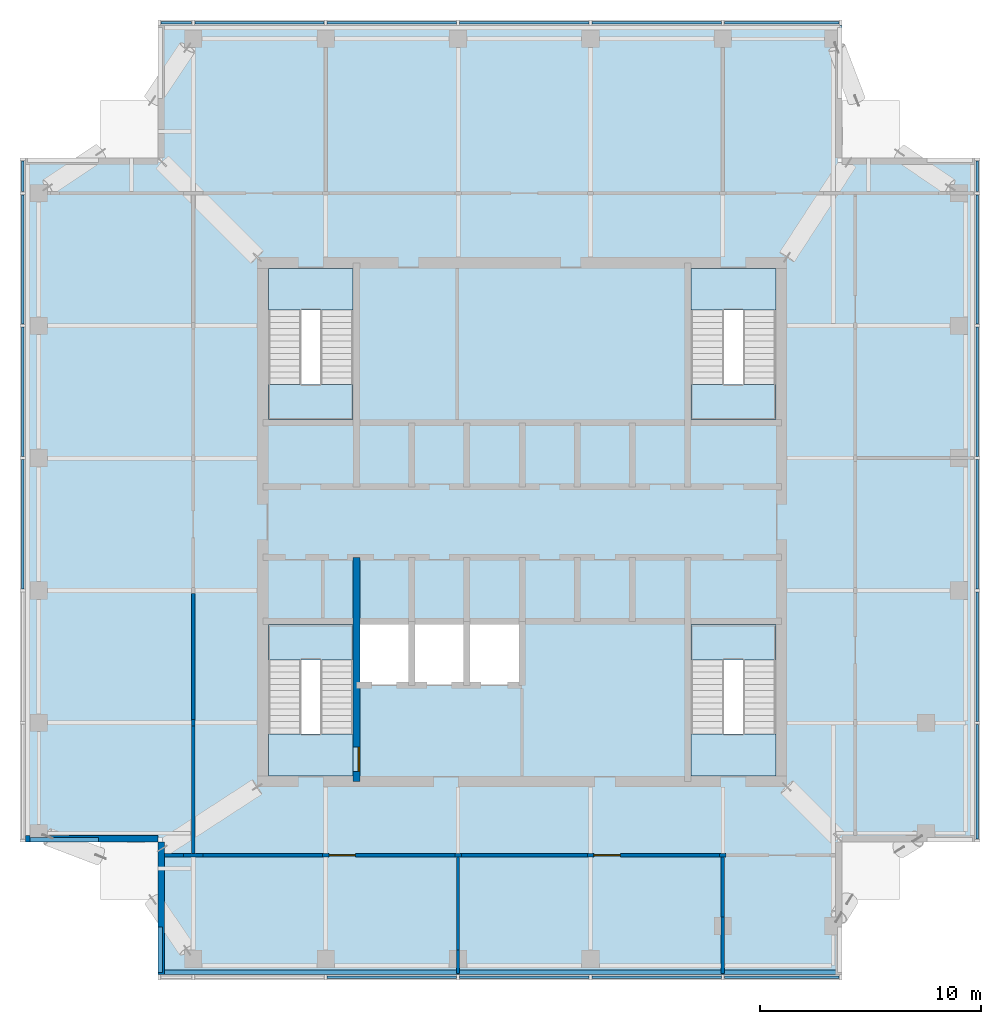
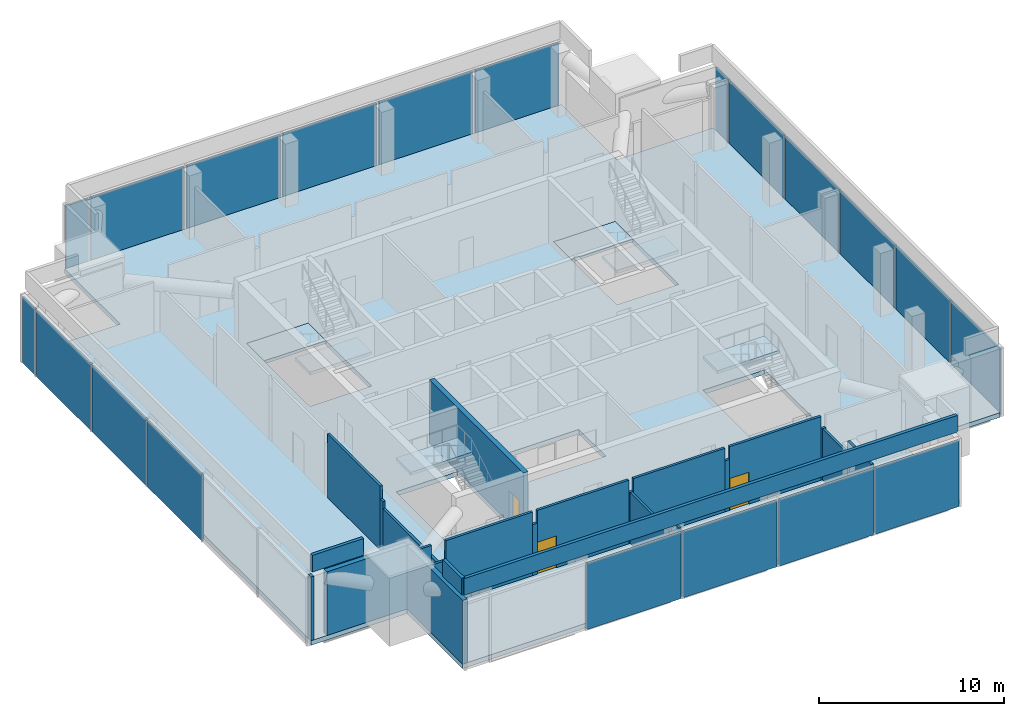
# One storey, part 3 of 11: 24 walls, 20 plates, 9 slabs, 3 doors, 3 openings, 8 elements without a shape of their own.
"""IFC4 building model written with IfcOpenShell, lengths in metres."""

from ifc_helpers import new_model, si_unit, direction, frame, frame_2d, origin, origin_2d, place, context, subcontext, project, spatial, polyline, rectangle, outline, extrude, material, layer, layer_set, type_object, element, fill, aggregate, save


model = new_model("IFC4")

# Units and contexts
model_context = context("Model", 3, precision=1e-05, world=origin(), true_north=direction((0.0, 1.0)))
body_context = subcontext(model_context, "Body", "Model", "MODEL_VIEW")
ifc_project = project(units=[si_unit("LENGTHUNIT", "METRE"), si_unit("AREAUNIT", "SQUARE_METRE"), si_unit("VOLUMEUNIT", "CUBIC_METRE"), si_unit("PLANEANGLEUNIT", "RADIAN"), si_unit("MASSUNIT", "GRAM", prefix="KILO")], contexts=[model_context])

# Site, building, storey
site_placement = place(None, origin())
site = spatial("IfcSite", under=ifc_project, at=site_placement, CompositionType="ELEMENT")
building_placement = place(site_placement, origin())
building = spatial("IfcBuilding", under=site, at=building_placement, Name="Amberfall Residences", CompositionType="ELEMENT")
storey_placement = place(building_placement, frame((0.0, 0.0, 286.300048828125)))
storey = spatial("IfcBuildingStorey", under=building, at=storey_placement, Name="L77 Crown", CompositionType="ELEMENT", Elevation=286.300048828125)

# Curtain wall, plates
ifc_material_1 = material(Name="Bronze anodised aluminium and glass", Category="aluminium")
curtain_wall_type = type_object("IfcCurtainWallType", Name="Curtain wall CW6 crown louvre", PredefinedType="USERDEFINED", material=ifc_material_1)
curtain_wall_1_placement = place(storey_placement, origin())
curtain_wall_1 = element("IfcCurtainWall", 1, at=curtain_wall_1_placement, inside=storey, type_object=curtain_wall_type, Name="Curtain wall L77 Crown S S1", ObjectType="UNITISED CURTAIN WALL", PredefinedType="USERDEFINED")
ifc_material_2 = material(Name="Bronze aluminium louvre", Category="aluminium")
ifc_layer_1 = layer(ifc_material_2, 0.1201171875)
ifc_layer_set_1 = layer_set([ifc_layer_1], Name="CW6 panel 120 louvre")
plate_type = type_object("IfcPlateType", Name="CW6 panel 120 louvre", PredefinedType="CURTAIN_PANEL", material=ifc_layer_set_1)
plate_1_placement = place(storey_placement, frame((68.60009765625, 24.875, -0.300048828125), z_axis=(0.0, 0.0, 1.0), x_axis=(1.0, 0.0, 0.0)))
plate_1 = element("IfcPlate", 2, at=plate_1_placement, type_object=plate_type, Name="CW6 panel 3.1", PredefinedType="CURTAIN_PANEL", context=body_context, shape_type="SweptSolid", body=[
    extrude(rectangle(XDim=5.85595703125, YDim=0.1201171875, at=origin_2d()), origin(), (0.0, 0.0, 1.0), 4.35009765625),
])
plate_2_placement = place(storey_placement, frame((74.60009765625, 24.875, -0.300048828125), z_axis=(0.0, 0.0, 1.0), x_axis=(1.0, 0.0, 0.0)))
plate_2 = element("IfcPlate", 3, at=plate_2_placement, type_object=plate_type, Name="CW6 panel 4.1", PredefinedType="CURTAIN_PANEL", context=body_context, shape_type="SweptSolid", body=[
    extrude(rectangle(XDim=5.85595703125, YDim=0.1201171875, at=origin_2d()), origin(), (0.0, 0.0, 1.0), 4.35009765625),
])
plate_3_placement = place(storey_placement, frame((80.60009765625, 24.875, -0.300048828125), z_axis=(0.0, 0.0, 1.0), x_axis=(1.0, 0.0, 0.0)))
plate_3 = element("IfcPlate", 4, at=plate_3_placement, type_object=plate_type, Name="CW6 panel 5.1", PredefinedType="CURTAIN_PANEL", context=body_context, shape_type="SweptSolid", body=[
    extrude(rectangle(XDim=5.85595703125, YDim=0.1201171875, at=origin_2d()), origin(), (0.0, 0.0, 1.0), 4.35009765625),
])
plate_4_placement = place(storey_placement, frame((86.27001953125, 24.875, -0.300048828125), z_axis=(0.0, 0.0, 1.0), x_axis=(1.0, 0.0, 0.0)))
plate_4 = element("IfcPlate", 5, at=plate_4_placement, type_object=plate_type, Name="CW6 panel 6.1", PredefinedType="CURTAIN_PANEL", context=body_context, shape_type="SweptSolid", body=[
    extrude(rectangle(XDim=5.196044921875, YDim=0.1201171875, at=origin_2d()), origin(), (0.0, 0.0, 1.0), 4.35009765625),
])
aggregate(curtain_wall_1, [plate_1, plate_2, plate_3, plate_4])

curtain_wall_2_placement = place(storey_placement, origin())
curtain_wall_2 = element("IfcCurtainWall", 6, at=curtain_wall_2_placement, inside=storey, type_object=curtain_wall_type, Name="Curtain wall L77 Crown E E1", ObjectType="UNITISED CURTAIN WALL", PredefinedType="USERDEFINED")
plate_5_placement = place(storey_placement, frame((95.125, 33.72998046875, -0.300048828125), z_axis=(0.0, 0.0, 1.0), x_axis=(0.0, 1.0, 0.0)))
plate_5 = element("IfcPlate", 7, at=plate_5_placement, type_object=plate_type, Name="CW6 panel 1.1", PredefinedType="CURTAIN_PANEL", context=body_context, shape_type="SweptSolid", body=[
    extrude(rectangle(XDim=5.196044921875, YDim=0.1201171875, at=origin_2d()), origin(), (0.0, 0.0, 1.0), 4.35009765625),
])
plate_6_placement = place(storey_placement, frame((95.125, 39.39990234375, -0.300048828125), z_axis=(0.0, 0.0, 1.0), x_axis=(0.0, 1.0, 0.0)))
plate_6 = element("IfcPlate", 8, at=plate_6_placement, type_object=plate_type, Name="CW6 panel 2.1", PredefinedType="CURTAIN_PANEL", context=body_context, shape_type="SweptSolid", body=[
    extrude(rectangle(XDim=5.85595703125, YDim=0.1201171875, at=origin_2d()), origin(), (0.0, 0.0, 1.0), 4.35009765625),
])
plate_7_placement = place(storey_placement, frame((95.125, 45.39990234375, -0.300048828125), z_axis=(0.0, 0.0, 1.0), x_axis=(0.0, 1.0, 0.0)))
plate_7 = element("IfcPlate", 9, at=plate_7_placement, type_object=plate_type, Name="CW6 panel 3.1", PredefinedType="CURTAIN_PANEL", context=body_context, shape_type="SweptSolid", body=[
    extrude(rectangle(XDim=5.85595703125, YDim=0.1201171875, at=origin_2d()), origin(), (0.0, 0.0, 1.0), 4.35009765625),
])
plate_8_placement = place(storey_placement, frame((95.125, 51.39990234375, -0.300048828125), z_axis=(0.0, 0.0, 1.0), x_axis=(0.0, 1.0, 0.0)))
plate_8 = element("IfcPlate", 10, at=plate_8_placement, type_object=plate_type, Name="CW6 panel 4.1", PredefinedType="CURTAIN_PANEL", context=body_context, shape_type="SweptSolid", body=[
    extrude(rectangle(XDim=5.85595703125, YDim=0.1201171875, at=origin_2d()), origin(), (0.0, 0.0, 1.0), 4.35009765625),
])
plate_9_placement = place(storey_placement, frame((95.125, 57.39990234375, -0.300048828125), z_axis=(0.0, 0.0, 1.0), x_axis=(0.0, 1.0, 0.0)))
plate_9 = element("IfcPlate", 11, at=plate_9_placement, type_object=plate_type, Name="CW6 panel 5.1", PredefinedType="CURTAIN_PANEL", context=body_context, shape_type="SweptSolid", body=[
    extrude(rectangle(XDim=5.85595703125, YDim=0.1201171875, at=origin_2d()), origin(), (0.0, 0.0, 1.0), 4.35009765625),
])
plate_10_placement = place(storey_placement, frame((95.125, 61.169921875, -0.300048828125), z_axis=(0.0, 0.0, 1.0), x_axis=(0.0, 1.0, 0.0)))
plate_10 = element("IfcPlate", 12, at=plate_10_placement, type_object=plate_type, Name="CW6 panel 6.1", PredefinedType="CURTAIN_PANEL", context=body_context, shape_type="SweptSolid", body=[
    extrude(rectangle(XDim=1.39599609375, YDim=0.1201171875, at=origin_2d()), origin(), (0.0, 0.0, 1.0), 4.35009765625),
])
aggregate(curtain_wall_2, [plate_5, plate_6, plate_7, plate_8, plate_9, plate_10])

curtain_wall_3_placement = place(storey_placement, origin())
curtain_wall_3 = element("IfcCurtainWall", 13, at=curtain_wall_3_placement, inside=storey, type_object=curtain_wall_type, Name="Curtain wall L77 Crown N N1", ObjectType="UNITISED CURTAIN WALL", PredefinedType="USERDEFINED")
plate_11_placement = place(storey_placement, frame((86.27001953125, 68.125, -0.300048828125), z_axis=(0.0, 0.0, 1.0), x_axis=(-1.0, 0.0, 0.0)))
plate_11 = element("IfcPlate", 14, at=plate_11_placement, type_object=plate_type, Name="CW6 panel 1.1", PredefinedType="CURTAIN_PANEL", context=body_context, shape_type="SweptSolid", body=[
    extrude(rectangle(XDim=5.196044921875, YDim=0.1201171875, at=origin_2d()), origin(), (0.0, 0.0, 1.0), 4.35009765625),
])
plate_12_placement = place(storey_placement, frame((80.60009765625, 68.125, -0.300048828125), z_axis=(0.0, 0.0, 1.0), x_axis=(-1.0, 0.0, 0.0)))
plate_12 = element("IfcPlate", 15, at=plate_12_placement, type_object=plate_type, Name="CW6 panel 2.1", PredefinedType="CURTAIN_PANEL", context=body_context, shape_type="SweptSolid", body=[
    extrude(rectangle(XDim=5.85595703125, YDim=0.1201171875, at=origin_2d()), origin(), (0.0, 0.0, 1.0), 4.35009765625),
])
plate_13_placement = place(storey_placement, frame((74.60009765625, 68.125, -0.300048828125), z_axis=(0.0, 0.0, 1.0), x_axis=(-1.0, 0.0, 0.0)))
plate_13 = element("IfcPlate", 16, at=plate_13_placement, type_object=plate_type, Name="CW6 panel 3.1", PredefinedType="CURTAIN_PANEL", context=body_context, shape_type="SweptSolid", body=[
    extrude(rectangle(XDim=5.85595703125, YDim=0.1201171875, at=origin_2d()), origin(), (0.0, 0.0, 1.0), 4.35009765625),
])
plate_14_placement = place(storey_placement, frame((68.60009765625, 68.125, -0.300048828125), z_axis=(0.0, 0.0, 1.0), x_axis=(-1.0, 0.0, 0.0)))
plate_14 = element("IfcPlate", 17, at=plate_14_placement, type_object=plate_type, Name="CW6 panel 4.1", PredefinedType="CURTAIN_PANEL", context=body_context, shape_type="SweptSolid", body=[
    extrude(rectangle(XDim=5.85595703125, YDim=0.1201171875, at=origin_2d()), origin(), (0.0, 0.0, 1.0), 4.35009765625),
])
plate_15_placement = place(storey_placement, frame((62.60009765625, 68.125, -0.300048828125), z_axis=(0.0, 0.0, 1.0), x_axis=(-1.0, 0.0, 0.0)))
plate_15 = element("IfcPlate", 18, at=plate_15_placement, type_object=plate_type, Name="CW6 panel 5.1", PredefinedType="CURTAIN_PANEL", context=body_context, shape_type="SweptSolid", body=[
    extrude(rectangle(XDim=5.85595703125, YDim=0.1201171875, at=origin_2d()), origin(), (0.0, 0.0, 1.0), 4.35009765625),
])
plate_16_placement = place(storey_placement, frame((58.830078125, 68.125, -0.300048828125), z_axis=(0.0, 0.0, 1.0), x_axis=(-1.0, 0.0, 0.0)))
plate_16 = element("IfcPlate", 19, at=plate_16_placement, type_object=plate_type, Name="CW6 panel 6.1", PredefinedType="CURTAIN_PANEL", context=body_context, shape_type="SweptSolid", body=[
    extrude(rectangle(XDim=1.39599609375, YDim=0.1201171875, at=origin_2d()), origin(), (0.0, 0.0, 1.0), 4.35009765625),
])
aggregate(curtain_wall_3, [plate_11, plate_12, plate_13, plate_14, plate_15, plate_16])

curtain_wall_4_placement = place(storey_placement, origin())
curtain_wall_4 = element("IfcCurtainWall", 20, at=curtain_wall_4_placement, inside=storey, type_object=curtain_wall_type, Name="Curtain wall L77 Crown W W1", ObjectType="UNITISED CURTAIN WALL", PredefinedType="USERDEFINED")
plate_17_placement = place(storey_placement, frame((51.875, 61.169921875, -0.300048828125), z_axis=(0.0, 0.0, 1.0), x_axis=(0.0, -1.0, 0.0)))
plate_17 = element("IfcPlate", 21, at=plate_17_placement, type_object=plate_type, Name="CW6 panel 1.1", PredefinedType="CURTAIN_PANEL", context=body_context, shape_type="SweptSolid", body=[
    extrude(rectangle(XDim=1.39599609375, YDim=0.1201171875, at=origin_2d()), origin(), (0.0, 0.0, 1.0), 4.35009765625),
])
plate_18_placement = place(storey_placement, frame((51.875, 57.39990234375, -0.300048828125), z_axis=(0.0, 0.0, 1.0), x_axis=(0.0, -1.0, 0.0)))
plate_18 = element("IfcPlate", 22, at=plate_18_placement, type_object=plate_type, Name="CW6 panel 2.1", PredefinedType="CURTAIN_PANEL", context=body_context, shape_type="SweptSolid", body=[
    extrude(rectangle(XDim=5.85595703125, YDim=0.1201171875, at=origin_2d()), origin(), (0.0, 0.0, 1.0), 4.35009765625),
])
plate_19_placement = place(storey_placement, frame((51.875, 51.39990234375, -0.300048828125), z_axis=(0.0, 0.0, 1.0), x_axis=(0.0, -1.0, 0.0)))
plate_19 = element("IfcPlate", 23, at=plate_19_placement, type_object=plate_type, Name="CW6 panel 3.1", PredefinedType="CURTAIN_PANEL", context=body_context, shape_type="SweptSolid", body=[
    extrude(rectangle(XDim=5.85595703125, YDim=0.1201171875, at=origin_2d()), origin(), (0.0, 0.0, 1.0), 4.35009765625),
])
plate_20_placement = place(storey_placement, frame((51.875, 45.39990234375, -0.300048828125), z_axis=(0.0, 0.0, 1.0), x_axis=(0.0, -1.0, 0.0)))
plate_20 = element("IfcPlate", 24, at=plate_20_placement, type_object=plate_type, Name="CW6 panel 4.1", PredefinedType="CURTAIN_PANEL", context=body_context, shape_type="SweptSolid", body=[
    extrude(rectangle(XDim=5.85595703125, YDim=0.1201171875, at=origin_2d()), origin(), (0.0, 0.0, 1.0), 4.35009765625),
])
aggregate(curtain_wall_4, [plate_17, plate_18, plate_19, plate_20])

# Slab
ifc_material_3 = material(Name="Concrete C50", Category="concrete")
ifc_layer_2 = layer(ifc_material_3, 0.300048828125)
ifc_layer_set_2 = layer_set([ifc_layer_2], Name="Crown floor slab 300 C50")
slab_type_1 = type_object("IfcSlabType", Name="Crown floor slab 300 C50", PredefinedType="FLOOR", material=ifc_layer_set_2)
slab_1_placement = place(storey_placement, frame((0.0, 0.0, -0.300048828125)))
element("IfcSlab", 25, at=slab_1_placement, inside=storey, type_object=slab_type_1, Name="Floor slab S22 L77 Crown", PredefinedType="FLOOR", context=body_context, shape_type="SweptSolid", body=[
    extrude(outline(polyline([(89.0, 25.0), (58.0, 25.0), (58.0, 31.0), (52.0, 31.0), (52.0, 62.0), (58.0, 62.0), (58.0, 68.0), (89.0, 68.0), (89.0, 62.0), (95.0, 62.0), (95.0, 31.0), (89.0, 31.0), (89.0, 25.0)]), holes=[polyline([(86.0, 40.85009765625), (82.14990234375, 40.85009765625), (82.14990234375, 34.0), (86.0, 34.0), (86.0, 40.85009765625)]), polyline([(86.0, 57.0), (82.14990234375, 57.0), (82.14990234375, 50.14990234375), (86.0, 50.14990234375), (86.0, 57.0)]), polyline([(69.5, 38.10009765625), (72.0, 38.10009765625), (74.5, 38.10009765625), (74.5, 41.0), (72.0, 41.0), (69.5, 41.0), (67.0, 41.0), (67.0, 38.10009765625), (69.5, 38.10009765625)]), polyline([(63.0, 40.85009765625), (63.0, 34.0), (66.85009765625, 34.0), (66.85009765625, 40.85009765625), (63.0, 40.85009765625)]), polyline([(66.85009765625, 57.0), (63.0, 57.0), (63.0, 50.14990234375), (66.85009765625, 50.14990234375), (66.85009765625, 57.0)])]), origin(), (0.0, 0.0, 1.0), 0.300048828125),
])

# Stair, slabs
ifc_material_4 = material(Name="Concrete C40", Category="concrete")
stair_type = type_object("IfcStairType", Name="Exit stair 26 risers 173.1 mm", PredefinedType="HALF_TURN_STAIR", material=ifc_material_4)
stair_1_placement = place(storey_placement, origin())
stair_1 = element("IfcStair", 26, at=stair_1_placement, inside=storey, type_object=stair_type, Name="L77 Crown Exit stair 1", PredefinedType="HALF_TURN_STAIR")
ifc_layer_3 = layer(ifc_material_4, 0.199951171875)
ifc_layer_set_3 = layer_set([ifc_layer_3], Name="Stair landing 200")
slab_type_2 = type_object("IfcSlabType", Name="Stair landing 200", PredefinedType="LANDING", material=ifc_layer_set_3)
slab_2_placement = place(storey_placement, frame((0.0, 0.0, 2.050048828125)))
slab_2 = element("IfcSlab", 27, at=slab_2_placement, type_object=slab_type_2, Name="ST2 landing 1", PredefinedType="LANDING", context=body_context, shape_type="SweptSolid", body=[
    extrude(outline(polyline([(66.85009765625, 39.260009765625), (66.85009765625, 40.85009765625), (63.0, 40.85009765625), (63.0, 39.260009765625), (66.85009765625, 39.260009765625)])), origin(), (0.0, 0.0, 1.0), 0.199951171875),
])
slab_3_placement = place(storey_placement, frame((0.0, 0.0, -0.199951171875)))
slab_3 = element("IfcSlab", 28, at=slab_3_placement, type_object=slab_type_2, Name="ST2 landing 2", PredefinedType="LANDING", context=body_context, shape_type="SweptSolid", body=[
    extrude(outline(polyline([(66.85009765625, 34.0), (66.85009765625, 35.89990234375), (63.0, 35.89990234375), (63.0, 34.0), (66.85009765625, 34.0)])), origin(), (0.0, 0.0, 1.0), 0.199951171875),
])
aggregate(stair_1, [slab_2, slab_3])

stair_2_placement = place(storey_placement, origin())
stair_2 = element("IfcStair", 29, at=stair_2_placement, inside=storey, type_object=stair_type, Name="L77 Crown Exit stair 2", PredefinedType="HALF_TURN_STAIR")
slab_4_placement = place(storey_placement, frame((0.0, 0.0, 2.050048828125)))
slab_4 = element("IfcSlab", 30, at=slab_4_placement, type_object=slab_type_2, Name="ST2 landing 1", PredefinedType="LANDING", context=body_context, shape_type="SweptSolid", body=[
    extrude(outline(polyline([(86.0, 39.260009765625), (86.0, 40.85009765625), (82.14990234375, 40.85009765625), (82.14990234375, 39.260009765625), (86.0, 39.260009765625)])), origin(), (0.0, 0.0, 1.0), 0.199951171875),
])
slab_5_placement = place(storey_placement, frame((0.0, 0.0, -0.199951171875)))
slab_5 = element("IfcSlab", 31, at=slab_5_placement, type_object=slab_type_2, Name="ST2 landing 2", PredefinedType="LANDING", context=body_context, shape_type="SweptSolid", body=[
    extrude(outline(polyline([(86.0, 34.0), (86.0, 35.89990234375), (82.14990234375, 35.89990234375), (82.14990234375, 34.0), (86.0, 34.0)])), origin(), (0.0, 0.0, 1.0), 0.199951171875),
])
aggregate(stair_2, [slab_4, slab_5])

stair_3_placement = place(storey_placement, origin())
stair_3 = element("IfcStair", 32, at=stair_3_placement, inside=storey, type_object=stair_type, Name="L77 Crown Exit stair 3", PredefinedType="HALF_TURN_STAIR")
slab_6_placement = place(storey_placement, frame((0.0, 0.0, 2.050048828125)))
slab_6 = element("IfcSlab", 33, at=slab_6_placement, type_object=slab_type_2, Name="ST2 landing 1", PredefinedType="LANDING", context=body_context, shape_type="SweptSolid", body=[
    extrude(outline(polyline([(82.14990234375, 51.739990234375), (82.14990234375, 50.14990234375), (86.0, 50.14990234375), (86.0, 51.739990234375), (82.14990234375, 51.739990234375)])), origin(), (0.0, 0.0, 1.0), 0.199951171875),
])
slab_7_placement = place(storey_placement, frame((0.0, 0.0, -0.199951171875)))
slab_7 = element("IfcSlab", 34, at=slab_7_placement, type_object=slab_type_2, Name="ST2 landing 2", PredefinedType="LANDING", context=body_context, shape_type="SweptSolid", body=[
    extrude(outline(polyline([(82.14990234375, 57.0), (82.14990234375, 55.10009765625), (86.0, 55.10009765625), (86.0, 57.0), (82.14990234375, 57.0)])), origin(), (0.0, 0.0, 1.0), 0.199951171875),
])
aggregate(stair_3, [slab_6, slab_7])

stair_4_placement = place(storey_placement, origin())
stair_4 = element("IfcStair", 35, at=stair_4_placement, inside=storey, type_object=stair_type, Name="L77 Crown Exit stair 4", PredefinedType="HALF_TURN_STAIR")
slab_8_placement = place(storey_placement, frame((0.0, 0.0, 2.050048828125)))
slab_8 = element("IfcSlab", 36, at=slab_8_placement, type_object=slab_type_2, Name="ST2 landing 1", PredefinedType="LANDING", context=body_context, shape_type="SweptSolid", body=[
    extrude(outline(polyline([(63.0, 51.739990234375), (63.0, 50.14990234375), (66.85009765625, 50.14990234375), (66.85009765625, 51.739990234375), (63.0, 51.739990234375)])), origin(), (0.0, 0.0, 1.0), 0.199951171875),
])
slab_9_placement = place(storey_placement, frame((0.0, 0.0, -0.199951171875)))
slab_9 = element("IfcSlab", 37, at=slab_9_placement, type_object=slab_type_2, Name="ST2 landing 2", PredefinedType="LANDING", context=body_context, shape_type="SweptSolid", body=[
    extrude(outline(polyline([(63.0, 57.0), (63.0, 55.10009765625), (66.85009765625, 55.10009765625), (66.85009765625, 57.0), (63.0, 57.0)])), origin(), (0.0, 0.0, 1.0), 0.199951171875),
])
aggregate(stair_4, [slab_8, slab_9])

# Wall, opening, door
ifc_layer_4 = layer(ifc_material_3, 0.300048828125)
ifc_layer_set_4 = layer_set([ifc_layer_4], Name="Core wall 300 C50")
wall_type_1 = type_object("IfcWallType", Name="Core wall 300 C50", PredefinedType="SHEAR", material=ifc_layer_set_4)
wall_1_placement = place(storey_placement, frame((67.0, 33.75, 0.0), z_axis=(0.0, 0.0, 1.0), x_axis=(0.0, 1.0, 0.0)))
wall_1 = element("IfcWall", 38, at=wall_1_placement, inside=storey, type_object=wall_type_1, Name="Core wall RW10 L77 Crown V45S", PredefinedType="SHEAR", context=body_context, shape_type="SweptSolid", body=[
    extrude(rectangle(XDim=10.14990234375, YDim=0.300048828125, at=frame_2d((5.074951171875, 0.0))), origin(), (0.0, 0.0, 1.0), 4.199951171875),
])
opening_1_placement = place(wall_1_placement, frame((0.449951171875, 0.0, 0.0)))
opening_1 = element("IfcOpeningElement", 39, at=opening_1_placement, cuts=wall_1, Name="Opening FL1", PredefinedType="OPENING", context=body_context, shape_type="SweptSolid", body=[
    extrude(rectangle(XDim=1.10009765625, YDim=2.10009765625, at=frame_2d((0.550048828125, 1.050048828125))), frame((0.0, 0.159912109375, 0.0), z_axis=(0.0, -1.0, 0.0), x_axis=(1.0, 0.0, 0.0)), (0.0, 0.0, 1.0), 0.320068359375),
])
ifc_material_5 = material(Name="Steel fire door set", Category="steel")
door_type_1 = type_object("IfcDoorType", Name="Firefighting lobby door 1100 x 2100", OperationType="SINGLE_SWING_LEFT", PredefinedType="DOOR", material=ifc_material_5)
door_1_placement = place(opening_1_placement, origin())
door_1 = element("IfcDoor", 40, at=door_1_placement, inside=storey, type_object=door_type_1, Name="FL1 L77 Crown", OperationType="SINGLE_SWING_RIGHT", OverallHeight=2.10009765625, OverallWidth=1.10009765625, PredefinedType="DOOR", context=body_context, shape_type="SweptSolid", body=[
    extrude(rectangle(XDim=1.10009765625, YDim=2.10009765625, at=frame_2d((0.550048828125, 1.050048828125))), frame((0.0, -0.08740234375, 0.0), z_axis=(0.0, -1.0, 0.0), x_axis=(1.0, 0.0, 0.0)), (0.0, 0.0, 1.0), 0.050048828125),
])
fill(opening_1, door_1)

# Walls
ifc_material_6 = material(Name="Bronze aluminium louvre cladding on insulated backing", Category="aluminium")
ifc_layer_5 = layer(ifc_material_6, 0.300048828125)
ifc_layer_set_5 = layer_set([ifc_layer_5], Name="Louvre clad wall 300")
wall_type_2 = type_object("IfcWallType", Name="Louvre clad wall 300", PredefinedType="SOLIDWALL", material=ifc_layer_set_5)
wall_2_placement = place(storey_placement, frame((52.0, 31.14990234375, 0.0), z_axis=(0.0, 0.0, 1.0), x_axis=(1.0, 0.0, 0.0)))
element("IfcWall", 41, at=wall_2_placement, inside=storey, type_object=wall_type_2, Name="External wall L77 Crown SW", PredefinedType="SOLIDWALL", context=body_context, shape_type="SweptSolid", body=[
    extrude(rectangle(XDim=0.199951171875, YDim=0.300048828125, at=frame_2d((0.10009765625, 0.0))), origin(), (0.0, 0.0, 1.0), 4.199951171875),
])
wall_3_placement = place(storey_placement, frame((53.0, 31.14990234375, 0.0), z_axis=(0.0, 0.0, 1.0), x_axis=(1.0, 0.0, 0.0)))
element("IfcWall", 42, at=wall_3_placement, inside=storey, type_object=wall_type_2, Name="External wall L77 Crown SW", PredefinedType="SOLIDWALL", context=body_context, shape_type="SweptSolid", body=[
    extrude(rectangle(XDim=5.0, YDim=0.300048828125, at=frame_2d((2.5, 0.0))), origin(), (0.0, 0.0, 1.0), 4.199951171875),
])
wall_4_placement = place(storey_placement, frame((58.14990234375, 31.0, 0.0), z_axis=(0.0, 0.0, 1.0), x_axis=(0.0, -1.0, 0.0)))
element("IfcWall", 43, at=wall_4_placement, inside=storey, type_object=wall_type_2, Name="External wall L77 Crown SW", PredefinedType="SOLIDWALL", context=body_context, shape_type="SweptSolid", body=[
    extrude(rectangle(XDim=6.0, YDim=0.300048828125, at=frame_2d((3.0, 0.0))), origin(), (0.0, 0.0, 1.0), 4.199951171875),
])
ifc_material_7 = material(Name="Fire-rated gypsum board on steel studs", Category="steel")
ifc_layer_6 = layer(ifc_material_7, 0.14990234375)
ifc_layer_set_6 = layer_set([ifc_layer_6], Name="Partition 150 fire-rated")
wall_type_3 = type_object("IfcWallType", Name="Partition 150 fire-rated", PredefinedType="PARTITIONING", material=ifc_layer_set_6)
wall_5_placement = place(storey_placement, frame((58.300048828125, 30.39990234375, 0.0), z_axis=(0.0, 0.0, 1.0), x_axis=(1.0, 0.0, 0.0)))
element("IfcWall", 44, at=wall_5_placement, inside=storey, type_object=wall_type_3, Name="Partition 150 fire-rated L77 Crown 001", PredefinedType="PARTITIONING", context=body_context, shape_type="SweptSolid", body=[
    extrude(rectangle(XDim=0.849853515625, YDim=0.14990234375, at=frame_2d((0.4248046875, 0.0))), origin(), (0.0, 0.0, 1.0), 4.199951171875),
])
wall_6_placement = place(storey_placement, frame((59.14990234375, 30.39990234375, 0.0), z_axis=(0.0, 0.0, 1.0), x_axis=(1.0, 0.0, 0.0)))
element("IfcWall", 45, at=wall_6_placement, inside=storey, type_object=wall_type_3, Name="Partition 150 fire-rated L77 Crown 002", PredefinedType="PARTITIONING", context=body_context, shape_type="SweptSolid", body=[
    extrude(rectangle(XDim=0.900146484375, YDim=0.14990234375, at=frame_2d((0.4501953125, 0.0))), origin(), (0.0, 0.0, 1.0), 2.89697265625),
])
wall_7_placement = place(storey_placement, frame((60.050048828125, 30.39990234375, 0.0), z_axis=(0.0, 0.0, 1.0), x_axis=(1.0, 0.0, 0.0)))
element("IfcWall", 46, at=wall_7_placement, inside=storey, type_object=wall_type_3, Name="Partition 150 fire-rated L77 Crown 003", PredefinedType="PARTITIONING", context=body_context, shape_type="SweptSolid", body=[
    extrude(rectangle(XDim=5.404052734375, YDim=0.14990234375, at=frame_2d((2.7021484375, 0.0))), origin(), (0.0, 0.0, 1.0), 4.199951171875),
])
wall_8_placement = place(storey_placement, frame((65.4541015625, 30.39990234375, 0.0), z_axis=(0.0, 0.0, 1.0), x_axis=(1.0, 0.0, 0.0)))
element("IfcWall", 47, at=wall_8_placement, inside=storey, type_object=wall_type_3, Name="Partition 150 fire-rated L77 Crown 004", PredefinedType="PARTITIONING", context=body_context, shape_type="SweptSolid", body=[
    extrude(rectangle(XDim=0.291748046875, YDim=0.14990234375, at=frame_2d((0.14599609375, 0.0))), origin(), (0.0, 0.0, 1.0), 3.364990234375),
])

# Wall, opening, door
wall_9_placement = place(storey_placement, frame((65.745849609375, 30.39990234375, 0.0), z_axis=(0.0, 0.0, 1.0), x_axis=(1.0, 0.0, 0.0)))
wall_9 = element("IfcWall", 48, at=wall_9_placement, inside=storey, type_object=wall_type_3, Name="Partition 150 fire-rated L77 Crown 005", PredefinedType="PARTITIONING", context=body_context, shape_type="SweptSolid", body=[
    extrude(rectangle(XDim=5.708251953125, YDim=0.14990234375, at=frame_2d((2.85400390625, 0.0))), origin(), (0.0, 0.0, 1.0), 4.199951171875),
])
opening_2_placement = place(wall_9_placement, frame((0.004150390625, 0.0, 0.0)))
opening_2 = element("IfcOpeningElement", 49, at=opening_2_placement, cuts=wall_9, Name="Opening D7", PredefinedType="OPENING", context=body_context, shape_type="SweptSolid", body=[
    extrude(rectangle(XDim=1.199951171875, YDim=2.10009765625, at=frame_2d((0.60009765625, 1.050048828125))), frame((0.0, 0.0849609375, 0.0), z_axis=(0.0, -1.0, 0.0), x_axis=(1.0, 0.0, 0.0)), (0.0, 0.0, 1.0), 0.169921875),
])
ifc_material_8 = material(Name="Steel fire door leaf", Category="steel")
door_type_2 = type_object("IfcDoorType", Name="Plant room door 1200x2100", OperationType="SINGLE_SWING_LEFT", PredefinedType="DOOR", material=ifc_material_8)
door_2_placement = place(opening_2_placement, origin())
door_2 = element("IfcDoor", 50, at=door_2_placement, inside=storey, type_object=door_type_2, Name="Door Traction motor plant room", OperationType="SINGLE_SWING_LEFT", OverallHeight=2.10009765625, OverallWidth=1.199951171875, PredefinedType="DOOR", context=body_context, shape_type="SweptSolid", body=[
    extrude(rectangle(XDim=1.199951171875, YDim=2.10009765625, at=frame_2d((0.60009765625, 1.050048828125))), frame((0.0, 0.02490234375, 0.0), z_axis=(0.0, -1.0, 0.0), x_axis=(1.0, 0.0, 0.0)), (0.0, 0.0, 1.0), 0.050048828125),
])
fill(opening_2, door_2)

# Walls
wall_10_placement = place(storey_placement, frame((71.4541015625, 30.39990234375, 0.0), z_axis=(0.0, 0.0, 1.0), x_axis=(1.0, 0.0, 0.0)))
element("IfcWall", 51, at=wall_10_placement, inside=storey, type_object=wall_type_3, Name="Partition 150 fire-rated L77 Crown 006", PredefinedType="PARTITIONING", context=body_context, shape_type="SweptSolid", body=[
    extrude(rectangle(XDim=0.291748046875, YDim=0.14990234375, at=frame_2d((0.14599609375, 0.0))), origin(), (0.0, 0.0, 1.0), 3.364990234375),
])
wall_11_placement = place(storey_placement, frame((71.745849609375, 30.39990234375, 0.0), z_axis=(0.0, 0.0, 1.0), x_axis=(1.0, 0.0, 0.0)))
element("IfcWall", 52, at=wall_11_placement, inside=storey, type_object=wall_type_3, Name="Partition 150 fire-rated L77 Crown 007", PredefinedType="PARTITIONING", context=body_context, shape_type="SweptSolid", body=[
    extrude(rectangle(XDim=5.708251953125, YDim=0.14990234375, at=frame_2d((2.85400390625, 0.0))), origin(), (0.0, 0.0, 1.0), 4.199951171875),
])
wall_12_placement = place(storey_placement, frame((77.4541015625, 30.39990234375, 0.0), z_axis=(0.0, 0.0, 1.0), x_axis=(1.0, 0.0, 0.0)))
element("IfcWall", 53, at=wall_12_placement, inside=storey, type_object=wall_type_3, Name="Partition 150 fire-rated L77 Crown 008", PredefinedType="PARTITIONING", context=body_context, shape_type="SweptSolid", body=[
    extrude(rectangle(XDim=0.291748046875, YDim=0.14990234375, at=frame_2d((0.14599609375, 0.0))), origin(), (0.0, 0.0, 1.0), 3.364990234375),
])

# Wall, opening, door
wall_13_placement = place(storey_placement, frame((77.745849609375, 30.39990234375, 0.0), z_axis=(0.0, 0.0, 1.0), x_axis=(1.0, 0.0, 0.0)))
wall_13 = element("IfcWall", 54, at=wall_13_placement, inside=storey, type_object=wall_type_3, Name="Partition 150 fire-rated L77 Crown 009", PredefinedType="PARTITIONING", context=body_context, shape_type="SweptSolid", body=[
    extrude(rectangle(XDim=5.708251953125, YDim=0.14990234375, at=frame_2d((2.85400390625, 0.0))), origin(), (0.0, 0.0, 1.0), 4.199951171875),
])
opening_3_placement = place(wall_13_placement, frame((0.004150390625, 0.0, 0.0)))
opening_3 = element("IfcOpeningElement", 55, at=opening_3_placement, cuts=wall_13, Name="Opening D7", PredefinedType="OPENING", context=body_context, shape_type="SweptSolid", body=[
    extrude(rectangle(XDim=1.199951171875, YDim=2.10009765625, at=frame_2d((0.60009765625, 1.050048828125))), frame((0.0, 0.0849609375, 0.0), z_axis=(0.0, -1.0, 0.0), x_axis=(1.0, 0.0, 0.0)), (0.0, 0.0, 1.0), 0.169921875),
])
door_3_placement = place(opening_3_placement, origin())
door_3 = element("IfcDoor", 56, at=door_3_placement, inside=storey, type_object=door_type_2, Name="Door Chiller plant room", OperationType="SINGLE_SWING_LEFT", OverallHeight=2.10009765625, OverallWidth=1.199951171875, PredefinedType="DOOR", context=body_context, shape_type="SweptSolid", body=[
    extrude(rectangle(XDim=1.199951171875, YDim=2.10009765625, at=frame_2d((0.60009765625, 1.050048828125))), frame((0.0, 0.02490234375, 0.0), z_axis=(0.0, -1.0, 0.0), x_axis=(1.0, 0.0, 0.0)), (0.0, 0.0, 1.0), 0.050048828125),
])
fill(opening_3, door_3)

# Walls
wall_14_placement = place(storey_placement, frame((83.4541015625, 30.39990234375, 0.0), z_axis=(0.0, 0.0, 1.0), x_axis=(1.0, 0.0, 0.0)))
element("IfcWall", 57, at=wall_14_placement, inside=storey, type_object=wall_type_3, Name="Partition 150 fire-rated L77 Crown 010", PredefinedType="PARTITIONING", context=body_context, shape_type="SweptSolid", body=[
    extrude(rectangle(XDim=0.291748046875, YDim=0.14990234375, at=frame_2d((0.14599609375, 0.0))), origin(), (0.0, 0.0, 1.0), 3.364990234375),
])
wall_15_placement = place(storey_placement, frame((59.60009765625, 30.47509765625, 0.0), z_axis=(0.0, 0.0, 1.0), x_axis=(0.0, 1.0, 0.0)))
element("IfcWall", 58, at=wall_15_placement, inside=storey, type_object=wall_type_3, Name="Partition 150 fire-rated L77 Crown 033", PredefinedType="PARTITIONING", context=body_context, shape_type="SweptSolid", body=[
    extrude(rectangle(XDim=5.779052734375, YDim=0.14990234375, at=frame_2d((2.8896484375, 0.0))), origin(), (0.0, 0.0, 1.0), 2.89697265625),
])
wall_16_placement = place(storey_placement, frame((59.60009765625, 36.25927734375, 0.0), z_axis=(0.0, 0.0, 1.0), x_axis=(0.0, 1.0, 0.0)))
element("IfcWall", 59, at=wall_16_placement, inside=storey, type_object=wall_type_3, Name="Partition 150 fire-rated L77 Crown 034", PredefinedType="PARTITIONING", context=body_context, shape_type="SweptSolid", body=[
    extrude(rectangle(XDim=0.28662109375, YDim=0.14990234375, at=frame_2d((0.143310546875, 0.0))), origin(), (0.0, 0.0, 1.0), 3.35888671875),
])
wall_17_placement = place(storey_placement, frame((59.60009765625, 36.5458984375, 0.0), z_axis=(0.0, 0.0, 1.0), x_axis=(0.0, 1.0, 0.0)))
element("IfcWall", 60, at=wall_17_placement, inside=storey, type_object=wall_type_3, Name="Partition 150 fire-rated L77 Crown 035", PredefinedType="PARTITIONING", context=body_context, shape_type="SweptSolid", body=[
    extrude(rectangle(XDim=5.708251953125, YDim=0.14990234375, at=frame_2d((2.85400390625, 0.0))), origin(), (0.0, 0.0, 1.0), 4.199951171875),
])
wall_18_placement = place(storey_placement, frame((71.60009765625, 25.050048828125, 0.0), z_axis=(0.0, 0.0, 1.0), x_axis=(0.0, 1.0, 0.0)))
element("IfcWall", 61, at=wall_18_placement, inside=storey, type_object=wall_type_3, Name="Partition 150 fire-rated L77 Crown 043", PredefinedType="PARTITIONING", context=body_context, shape_type="SweptSolid", body=[
    extrude(rectangle(XDim=1.050048828125, YDim=0.14990234375, at=frame_2d((0.52490234375, 0.0))), origin(), (0.0, 0.0, 1.0), 4.199951171875),
])
wall_19_placement = place(storey_placement, frame((71.60009765625, 26.10009765625, 0.0), z_axis=(0.0, 0.0, 1.0), x_axis=(0.0, 1.0, 0.0)))
element("IfcWall", 62, at=wall_19_placement, inside=storey, type_object=wall_type_3, Name="Partition 150 fire-rated L77 Crown 044", PredefinedType="PARTITIONING", context=body_context, shape_type="SweptSolid", body=[
    extrude(rectangle(XDim=4.224853515625, YDim=0.14990234375, at=frame_2d((2.1123046875, 0.0))), origin(), (0.0, 0.0, 1.0), 3.364990234375),
])
wall_20_placement = place(storey_placement, frame((83.60009765625, 25.050048828125, 0.0), z_axis=(0.0, 0.0, 1.0), x_axis=(0.0, 1.0, 0.0)))
element("IfcWall", 63, at=wall_20_placement, inside=storey, type_object=wall_type_3, Name="Partition 150 fire-rated L77 Crown 045", PredefinedType="PARTITIONING", context=body_context, shape_type="SweptSolid", body=[
    extrude(rectangle(XDim=2.550048828125, YDim=0.14990234375, at=frame_2d((1.27490234375, 0.0))), origin(), (0.0, 0.0, 1.0), 4.199951171875),
])
wall_21_placement = place(storey_placement, frame((83.60009765625, 27.60009765625, 0.0), z_axis=(0.0, 0.0, 1.0), x_axis=(0.0, 1.0, 0.0)))
element("IfcWall", 64, at=wall_21_placement, inside=storey, type_object=wall_type_3, Name="Partition 150 fire-rated L77 Crown 046", PredefinedType="PARTITIONING", context=body_context, shape_type="SweptSolid", body=[
    extrude(rectangle(XDim=2.724853515625, YDim=0.14990234375, at=frame_2d((1.3623046875, 0.0))), origin(), (0.0, 0.0, 1.0), 3.364990234375),
])
ifc_material_9 = material(Name="Reinforced concrete C50", Category="concrete")
ifc_layer_7 = layer(ifc_material_9, 0.199951171875)
ifc_layer_set_7 = layer_set([ifc_layer_7], Name="Roof parapet 200")
wall_type_4 = type_object("IfcWallType", Name="Roof parapet 200", PredefinedType="PARAPET", material=ifc_layer_set_7)
wall_22_placement = place(storey_placement, frame((88.89990234375, 25.10009765625, 4.5), z_axis=(0.0, 0.0, 1.0), x_axis=(-1.0, 0.0, 0.0)))
element("IfcWall", 65, at=wall_22_placement, inside=storey, type_object=wall_type_4, Name="Roof parapet", PredefinedType="PARAPET", context=body_context, shape_type="SweptSolid", body=[
    extrude(rectangle(XDim=30.7998046875, YDim=0.199951171875, at=frame_2d((15.39990234375, 0.0))), origin(), (0.0, 0.0, 1.0), 1.099853515625),
])
wall_23_placement = place(storey_placement, frame((58.10009765625, 25.10009765625, 4.5), z_axis=(0.0, 0.0, 1.0), x_axis=(0.0, 1.0, 0.0)))
element("IfcWall", 66, at=wall_23_placement, inside=storey, type_object=wall_type_4, Name="Roof parapet", PredefinedType="PARAPET", context=body_context, shape_type="SweptSolid", body=[
    extrude(rectangle(XDim=2.0498046875, YDim=0.199951171875, at=frame_2d((1.02490234375, 0.0))), origin(), (0.0, 0.0, 1.0), 1.099853515625),
])
wall_24_placement = place(storey_placement, frame((55.300048828125, 31.10009765625, 4.5), z_axis=(0.0, 0.0, 1.0), x_axis=(-1.0, 0.0, 0.0)))
element("IfcWall", 67, at=wall_24_placement, inside=storey, type_object=wall_type_4, Name="Roof parapet", PredefinedType="PARAPET", context=body_context, shape_type="SweptSolid", body=[
    extrude(rectangle(XDim=3.199951171875, YDim=0.199951171875, at=frame_2d((1.60009765625, 0.0))), origin(), (0.0, 0.0, 1.0), 1.099853515625),
])

save(model, "model.ifc")
